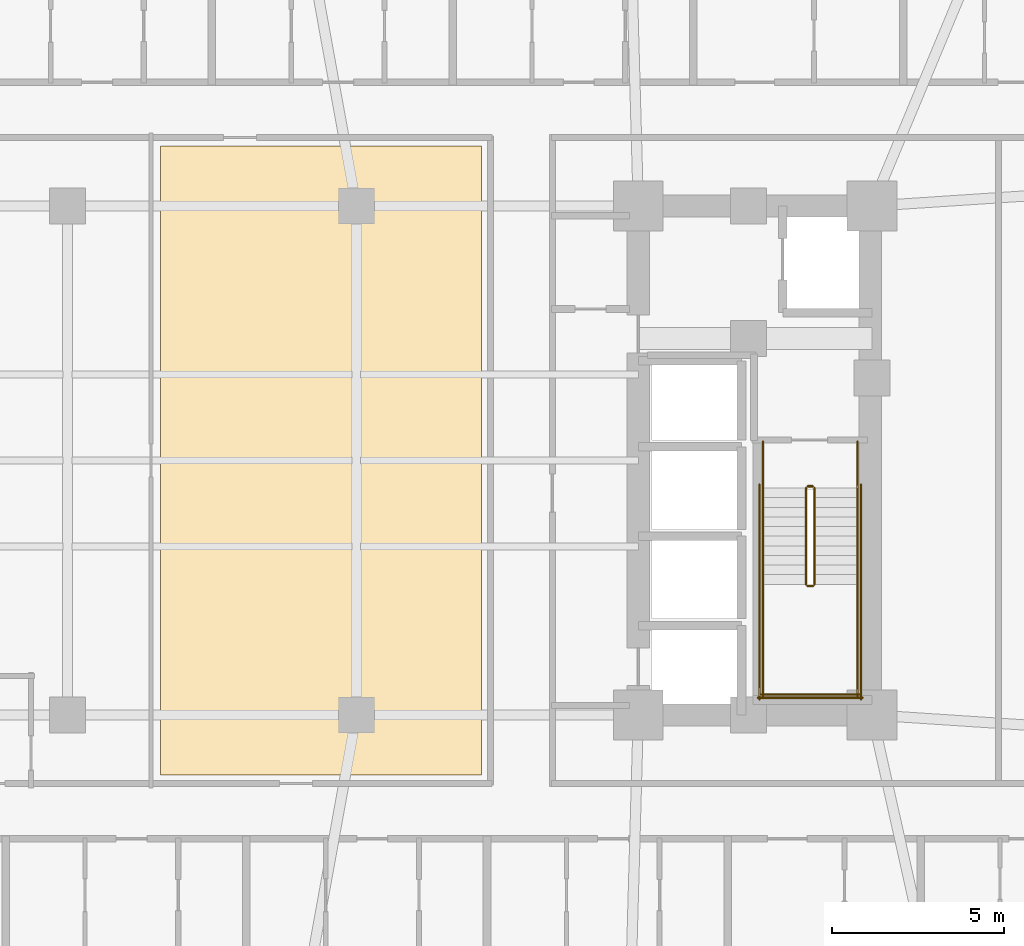
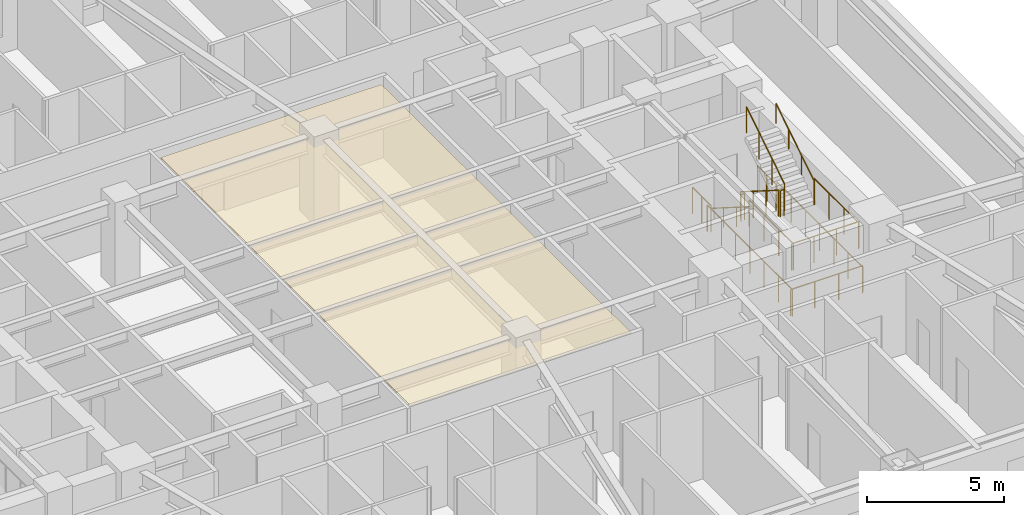
# One storey, part 12 of 12: 14 railings, 1 covering.
"""IFC4 building model written with IfcOpenShell, lengths in metres."""

from ifc_helpers import new_model, si_unit, direction, frame, origin, origin_2d, place, context, subcontext, project, spatial, polyline, circle, outline, extrude, material, layer, layer_set, type_object, element, save


model = new_model("IFC4")

# Units and contexts
model_context = context("Model", 3, precision=1e-05, world=origin(), true_north=direction((0.0, 1.0)))
body_context = subcontext(model_context, "Body", "Model", "MODEL_VIEW")
ifc_project = project(units=[si_unit("LENGTHUNIT", "METRE"), si_unit("AREAUNIT", "SQUARE_METRE"), si_unit("VOLUMEUNIT", "CUBIC_METRE"), si_unit("PLANEANGLEUNIT", "RADIAN"), si_unit("MASSUNIT", "GRAM", prefix="KILO")], contexts=[model_context])

# Site, building, storey
site_placement = place(None, origin())
site = spatial("IfcSite", under=ifc_project, at=site_placement, CompositionType="ELEMENT")
building_placement = place(site_placement, origin())
building = spatial("IfcBuilding", under=site, at=building_placement, Name="Voryun Gate Residences", CompositionType="ELEMENT")
storey_placement = place(building_placement, frame((0.0, 0.0, 65.0)))
storey = spatial("IfcBuildingStorey", under=building, at=storey_placement, Name="L15", CompositionType="ELEMENT", Elevation=65.0)

# Covering
ifc_material_1 = material(Name="Gypsum acoustic ceiling")
ifc_layer = layer(ifc_material_1, 0.02490234375, Name="COV_CEILING_ACOUSTIC")
ifc_layer_set = layer_set([ifc_layer], Name="Gypsum acoustic ceiling")
covering_type = type_object("IfcCoveringType", Name="COV_CEILING_ACOUSTIC", PredefinedType="CEILING", material=ifc_layer_set)
covering_placement = place(storey_placement, frame((0.0, 0.0, 3.39990234375)))
element("IfcCovering", 1, at=covering_placement, inside=storey, type_object=covering_type, Name="Acoustic ceiling CLG-L15-01", PredefinedType="CEILING", context=body_context, shape_type="SweptSolid", body=[
    extrude(outline(polyline([(-1.492919921875, 9.14990234375), (7.840087890625, 9.14990234375), (7.840087890625, -9.14990234375), (-1.492919921875, -9.14990234375), (-1.492919921875, 9.14990234375)])), origin(), (0.0, 0.0, 1.0), 0.025146484375),
])

# Railings
ifc_material_2 = material(Name="Painted steel", Category="steel")
railing_type_1 = type_object("IfcRailingType", Name="RAIL_STAIR_GUARD_1200", PredefinedType="GUARDRAIL", material=ifc_material_2)
railing_1_placement = place(storey_placement, frame((17.27490234375, -0.800048828125, 0.17724609375)))
element("IfcRailing", 2, at=railing_1_placement, inside=storey, type_object=railing_type_1, Name="L15 ST-E1 stair guard 1", PredefinedType="GUARDRAIL", context=body_context, shape_type="SweptSolid", body=[
    extrude(circle(Radius=0.02392578125, at=origin_2d()), frame((0.0, 0.0, 1.17578125), z_axis=(0.0, -0.844908973607, 0.534910110503), x_axis=(1.0, 0.0, 0.0)), (0.0, 0.0, 1.0), 3.31396484375),
    extrude(circle(Radius=0.02099609375, at=origin_2d()), origin(), (0.0, 0.0, 1.0), 1.15185546875),
    extrude(circle(Radius=0.02099609375, at=origin_2d()), frame((0.0, -0.933349609375, 0.5908203125)), (0.0, 0.0, 1.0), 1.15185546875),
    extrude(circle(Radius=0.02099609375, at=origin_2d()), frame((0.0, -1.86669921875, 1.181884765625)), (0.0, 0.0, 1.0), 1.15185546875),
    extrude(circle(Radius=0.02099609375, at=origin_2d()), frame((0.0, -2.800048828125, 1.772705078125)), (0.0, 0.0, 1.0), 1.15185546875),
])
railing_2_placement = place(storey_placement, frame((17.324951171875, -3.64990234375, 1.949951171875)))
element("IfcRailing", 3, at=railing_2_placement, inside=storey, type_object=railing_type_1, Name="L15 ST-E1 stair guard 2", PredefinedType="GUARDRAIL", context=body_context, shape_type="SweptSolid", body=[
    extrude(circle(Radius=0.02392578125, at=origin_2d()), frame((0.0, 0.0, 1.17578125), z_axis=(1.0, 0.0, 0.0), x_axis=(0.0, 1.0, 0.0)), (0.0, 0.0, 1.0), 0.150146484375),
    extrude(circle(Radius=0.02099609375, at=origin_2d()), origin(), (0.0, 0.0, 1.0), 1.15185546875),
    extrude(circle(Radius=0.02099609375, at=origin_2d()), frame((0.150146484375, 0.0, 0.0)), (0.0, 0.0, 1.0), 1.15185546875),
])
for number, where, name in (
    (4, (16.02490234375, -3.60009765625, 1.949951171875), "L15 ST-E1 stair guard 3"),
    (5, (18.77490234375, -3.60009765625, 1.949951171875), "L15 ST-E1 stair guard 4"),
):
    element("IfcRailing", number, at=place(storey_placement, frame(where)), inside=storey, type_object=railing_type_1, Name=name, PredefinedType="GUARDRAIL", context=body_context, shape_type="SweptSolid", body=[
        extrude(circle(Radius=0.02392578125, at=origin_2d()), frame((0.0, 0.0, 1.17578125), z_axis=(0.0, -1.0, 0.0), x_axis=(1.0, 0.0, 0.0)), (0.0, 0.0, 1.0), 3.25),
        extrude(circle(Radius=0.02099609375, at=origin_2d()), origin(), (0.0, 0.0, 1.0), 1.15185546875),
        extrude(circle(Radius=0.02099609375, at=origin_2d()), frame((0.0, -1.083251953125, 0.0)), (0.0, 0.0, 1.0), 1.15185546875),
        extrude(circle(Radius=0.02099609375, at=origin_2d()), frame((0.0, -2.166748046875, 0.0)), (0.0, 0.0, 1.0), 1.15185546875),
        extrude(circle(Radius=0.02099609375, at=origin_2d()), frame((0.0, -3.25, 0.0)), (0.0, 0.0, 1.0), 1.15185546875),
    ])
railing_3_placement = place(storey_placement, frame((15.97509765625, -6.800048828125, 1.949951171875)))
element("IfcRailing", 6, at=railing_3_placement, inside=storey, type_object=railing_type_1, Name="L15 ST-E1 stair guard 5", PredefinedType="GUARDRAIL", context=body_context, shape_type="SweptSolid", body=[
    extrude(circle(Radius=0.02392578125, at=origin_2d()), frame((0.0, 0.0, 1.17578125), z_axis=(1.0, 0.0, 0.0), x_axis=(0.0, 1.0, 0.0)), (0.0, 0.0, 1.0), 2.849853515625),
    extrude(circle(Radius=0.02099609375, at=origin_2d()), origin(), (0.0, 0.0, 1.0), 1.15185546875),
    extrude(circle(Radius=0.02099609375, at=origin_2d()), frame((0.949951171875, 0.0, 0.0)), (0.0, 0.0, 1.0), 1.15185546875),
    extrude(circle(Radius=0.02099609375, at=origin_2d()), frame((1.89990234375, 0.0, 0.0)), (0.0, 0.0, 1.0), 1.15185546875),
    extrude(circle(Radius=0.02099609375, at=origin_2d()), frame((2.849853515625, 0.0, 0.0)), (0.0, 0.0, 1.0), 1.15185546875),
])
railing_4_placement = place(storey_placement, frame((17.52490234375, -3.60009765625, 2.127197265625)))
element("IfcRailing", 7, at=railing_4_placement, inside=storey, type_object=railing_type_1, Name="L15 ST-E1 stair guard 6", PredefinedType="GUARDRAIL", context=body_context, shape_type="SweptSolid", body=[
    extrude(circle(Radius=0.02392578125, at=origin_2d()), frame((0.0, 0.0, 1.17578125), z_axis=(0.0, 0.844908973607, 0.534910110503), x_axis=(-1.0, 0.0, 0.0)), (0.0, 0.0, 1.0), 3.31396484375),
    extrude(circle(Radius=0.02099609375, at=origin_2d()), origin(), (0.0, 0.0, 1.0), 1.15185546875),
    extrude(circle(Radius=0.02099609375, at=origin_2d()), frame((0.0, 0.933349609375, 0.5908203125)), (0.0, 0.0, 1.0), 1.15185546875),
    extrude(circle(Radius=0.02099609375, at=origin_2d()), frame((0.0, 1.86669921875, 1.181884765625)), (0.0, 0.0, 1.0), 1.15185546875),
    extrude(circle(Radius=0.02099609375, at=origin_2d()), frame((0.0, 2.800048828125, 1.772705078125)), (0.0, 0.0, 1.0), 1.15185546875),
])
railing_5_placement = place(storey_placement, frame((17.324951171875, -0.75, 0.0)))
element("IfcRailing", 8, at=railing_5_placement, inside=storey, type_object=railing_type_1, Name="L15 ST-E1 stair guard 7", PredefinedType="GUARDRAIL", context=body_context, shape_type="SweptSolid", body=[
    extrude(circle(Radius=0.02392578125, at=origin_2d()), frame((0.0, 0.0, 1.17578125), z_axis=(1.0, 0.0, 0.0), x_axis=(0.0, 1.0, 0.0)), (0.0, 0.0, 1.0), 0.150146484375),
    extrude(circle(Radius=0.02099609375, at=origin_2d()), origin(), (0.0, 0.0, 1.0), 1.15185546875),
    extrude(circle(Radius=0.02099609375, at=origin_2d()), frame((0.150146484375, 0.0, 0.0)), (0.0, 0.0, 1.0), 1.15185546875),
])
for number, where, name in (
    (9, (16.02490234375, 0.550048828125, 0.0), "L15 ST-E1 stair guard 8"),
    (10, (18.77490234375, 0.550048828125, 0.0), "L15 ST-E1 stair guard 9"),
):
    element("IfcRailing", number, at=place(storey_placement, frame(where)), inside=storey, type_object=railing_type_1, Name=name, PredefinedType="GUARDRAIL", context=body_context, shape_type="SweptSolid", body=[
        extrude(circle(Radius=0.02392578125, at=origin_2d()), frame((0.0, 0.0, 1.17578125), z_axis=(0.0, -1.0, 0.0), x_axis=(1.0, 0.0, 0.0)), (0.0, 0.0, 1.0), 1.35009765625),
        extrude(circle(Radius=0.02099609375, at=origin_2d()), origin(), (0.0, 0.0, 1.0), 1.15185546875),
        extrude(circle(Radius=0.02099609375, at=origin_2d()), frame((0.0, -0.675048828125, 0.0)), (0.0, 0.0, 1.0), 1.15185546875),
        extrude(circle(Radius=0.02099609375, at=origin_2d()), frame((0.0, -1.35009765625, 0.0)), (0.0, 0.0, 1.0), 1.15185546875),
    ])
for number, where, name in (
    (11, (15.925048828125, -0.699951171875, 0.0), "L15 ST-E1 stair guard 10"),
    (12, (18.875, -0.699951171875, 0.0), "L15 ST-E1 stair guard 11"),
):
    element("IfcRailing", number, at=place(storey_placement, frame(where)), inside=storey, type_object=railing_type_1, Name=name, PredefinedType="GUARDRAIL", context=body_context, shape_type="SweptSolid", body=[
        extrude(circle(Radius=0.02392578125, at=origin_2d()), frame((0.0, 0.0, 1.17578125), z_axis=(0.0, -1.0, 0.0), x_axis=(1.0, 0.0, 0.0)), (0.0, 0.0, 1.0), 6.25),
        extrude(circle(Radius=0.02099609375, at=origin_2d()), origin(), (0.0, 0.0, 1.0), 1.15185546875),
        extrude(circle(Radius=0.02099609375, at=origin_2d()), frame((0.0, -1.041748046875, 0.0)), (0.0, 0.0, 1.0), 1.15185546875),
        extrude(circle(Radius=0.02099609375, at=origin_2d()), frame((0.0, -2.083251953125, 0.0)), (0.0, 0.0, 1.0), 1.15185546875),
        extrude(circle(Radius=0.02099609375, at=origin_2d()), frame((0.0, -3.125, 0.0)), (0.0, 0.0, 1.0), 1.15185546875),
        extrude(circle(Radius=0.02099609375, at=origin_2d()), frame((0.0, -4.166748046875, 0.0)), (0.0, 0.0, 1.0), 1.15185546875),
        extrude(circle(Radius=0.02099609375, at=origin_2d()), frame((0.0, -5.208251953125, 0.0)), (0.0, 0.0, 1.0), 1.15185546875),
        extrude(circle(Radius=0.02099609375, at=origin_2d()), frame((0.0, -6.25, 0.0)), (0.0, 0.0, 1.0), 1.15185546875),
    ])
railing_6_placement = place(storey_placement, frame((15.875, -6.89990234375, 0.0)))
element("IfcRailing", 13, at=railing_6_placement, inside=storey, type_object=railing_type_1, Name="L15 ST-E1 stair guard 12", PredefinedType="GUARDRAIL", context=body_context, shape_type="SweptSolid", body=[
    extrude(circle(Radius=0.02392578125, at=origin_2d()), frame((0.0, 0.0, 1.17578125), z_axis=(1.0, 0.0, 0.0), x_axis=(0.0, 1.0, 0.0)), (0.0, 0.0, 1.0), 3.050048828125),
    extrude(circle(Radius=0.02099609375, at=origin_2d()), origin(), (0.0, 0.0, 1.0), 1.15185546875),
    extrude(circle(Radius=0.02099609375, at=origin_2d()), frame((1.0166015625, 0.0, 0.0)), (0.0, 0.0, 1.0), 1.15185546875),
    extrude(circle(Radius=0.02099609375, at=origin_2d()), frame((2.033447265625, 0.0, 0.0)), (0.0, 0.0, 1.0), 1.15185546875),
    extrude(circle(Radius=0.02099609375, at=origin_2d()), frame((3.050048828125, 0.0, 0.0)), (0.0, 0.0, 1.0), 1.15185546875),
])
ifc_material_3 = material(Name="Painted steel", Category="steel")
railing_type_2 = type_object("IfcRailingType", Name="RAIL_STAIR_HANDRAIL_900", PredefinedType="HANDRAIL", material=ifc_material_3)
railing_7_placement = place(storey_placement, frame((16.02490234375, -0.800048828125, 0.17724609375)))
element("IfcRailing", 14, at=railing_7_placement, inside=storey, type_object=railing_type_2, Name="L15 ST-E1 stair handrail 1", PredefinedType="HANDRAIL", context=body_context, shape_type="SweptSolid", body=[
    extrude(circle(Radius=0.02392578125, at=origin_2d()), frame((0.0, 0.0, 0.8759765625), z_axis=(0.0, -0.844908973607, 0.534910110503), x_axis=(1.0, 0.0, 0.0)), (0.0, 0.0, 1.0), 3.31396484375),
    extrude(circle(Radius=0.02099609375, at=origin_2d()), origin(), (0.0, 0.0, 1.0), 0.851806640625),
    extrude(circle(Radius=0.02099609375, at=origin_2d()), frame((0.0, -0.933349609375, 0.5908203125)), (0.0, 0.0, 1.0), 0.851806640625),
    extrude(circle(Radius=0.02099609375, at=origin_2d()), frame((0.0, -1.86669921875, 1.181884765625)), (0.0, 0.0, 1.0), 0.851806640625),
    extrude(circle(Radius=0.02099609375, at=origin_2d()), frame((0.0, -2.800048828125, 1.772705078125)), (0.0, 0.0, 1.0), 0.851806640625),
])
railing_8_placement = place(storey_placement, frame((18.77490234375, -3.60009765625, 2.127197265625)))
element("IfcRailing", 15, at=railing_8_placement, inside=storey, type_object=railing_type_2, Name="L15 ST-E1 stair handrail 2", PredefinedType="HANDRAIL", context=body_context, shape_type="SweptSolid", body=[
    extrude(circle(Radius=0.02392578125, at=origin_2d()), frame((0.0, 0.0, 0.8759765625), z_axis=(0.0, 0.844908973607, 0.534910110503), x_axis=(-1.0, 0.0, 0.0)), (0.0, 0.0, 1.0), 3.31396484375),
    extrude(circle(Radius=0.02099609375, at=origin_2d()), origin(), (0.0, 0.0, 1.0), 0.851806640625),
    extrude(circle(Radius=0.02099609375, at=origin_2d()), frame((0.0, 0.933349609375, 0.5908203125)), (0.0, 0.0, 1.0), 0.851806640625),
    extrude(circle(Radius=0.02099609375, at=origin_2d()), frame((0.0, 1.86669921875, 1.181884765625)), (0.0, 0.0, 1.0), 0.851806640625),
    extrude(circle(Radius=0.02099609375, at=origin_2d()), frame((0.0, 2.800048828125, 1.772705078125)), (0.0, 0.0, 1.0), 0.851806640625),
])

save(model, "model.ifc")
